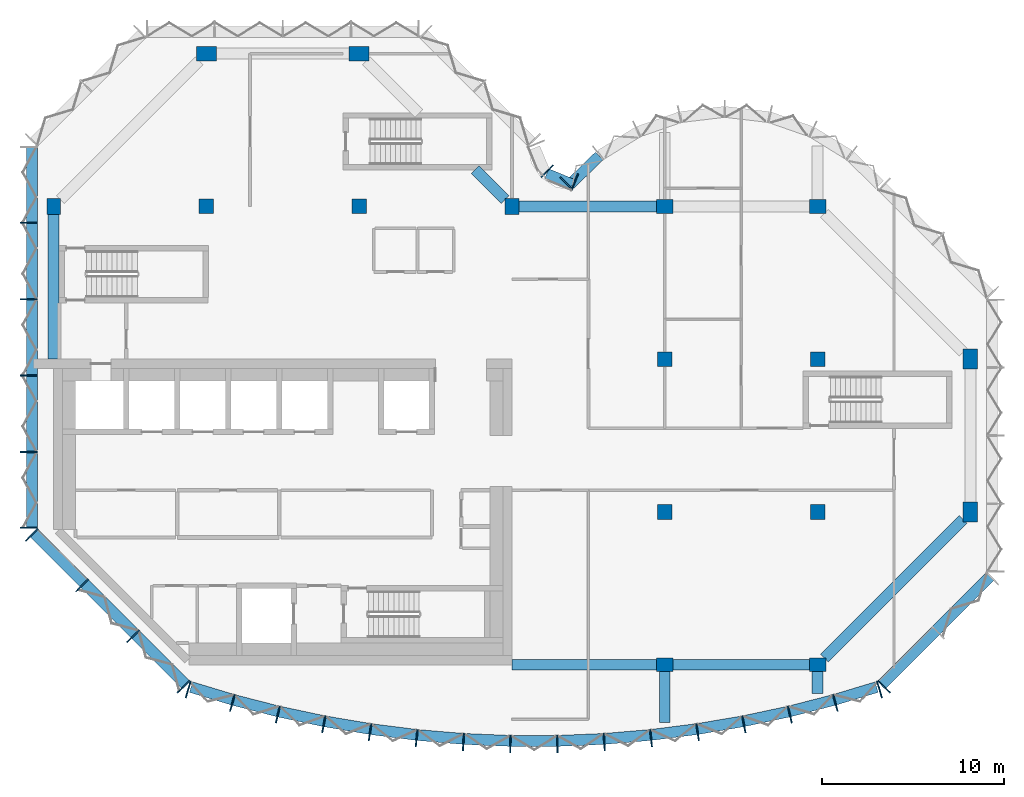
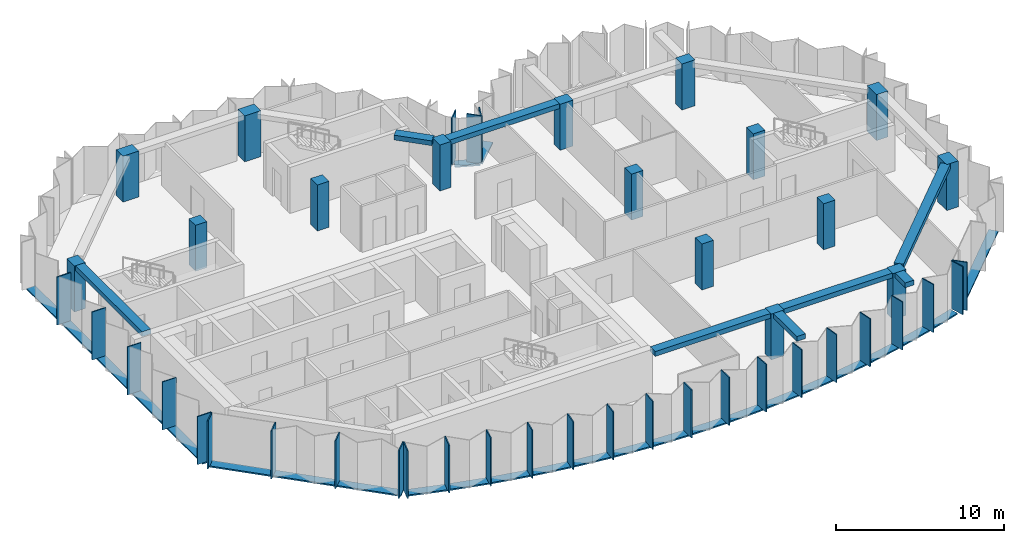
# One storey, part 1 of 9: 49 members, 16 columns, 8 beams, 6 elements without a shape of their own.
"""IFC4 building model written with IfcOpenShell, lengths in metres."""

import ifcopenshell
import ifcopenshell.guid

model = None  # the IFC model being written
_history = None  # IfcOwnerHistory: only IFC2X3 demands one
_inside = {}  # id of a spatial element -> (the spatial element, [elements in it])
_under = {}  # id of a project, library or spatial element -> (it, [spatial elements below it])
_declared = {}  # id of a project -> (the project, [libraries it declares])
_typed = {}  # id of a type object -> (the type object, [elements of that type])
_made_of = {}  # id of a material, layer set ... -> (it, [elements and type objects made of it])


def new_model(schema):
    """Start an empty IFC model of exactly this schema.

    Asked for "IFC4X3", IfcOpenShell would pick the latest addendum, in which some entities
    have other attributes; the version numbers below select the first issue.
    IFC2X3 requires an IfcOwnerHistory on every rooted entity: one is made here for all.
    """
    global model, _history
    if schema == "IFC4X3":
        model = ifcopenshell.file(schema_version=(4, 3, 0, 0))
    else:
        model = ifcopenshell.file(schema=schema)
    _inside.clear()
    _under.clear()
    _declared.clear()
    _typed.clear()
    _made_of.clear()
    _history = None
    if model.schema == "IFC2X3":
        org = make("IfcOrganization", Name="unknown")
        user = make(
            "IfcPersonAndOrganization",
            ThePerson=make("IfcPerson", FamilyName="unknown"),
            TheOrganization=org,
        )
        app = make(
            "IfcApplication",
            ApplicationDeveloper=org,
            Version="unknown",
            ApplicationFullName="unknown",
            ApplicationIdentifier="unknown",
        )
        _history = make(
            "IfcOwnerHistory",
            OwningUser=user,
            OwningApplication=app,
            ChangeAction="ADDED",
            CreationDate=0,
        )
    return model


def make(cls, **values):
    """One entity of the class cls with the attributes given. An attribute that is None is left unset."""
    return model.create_entity(
        cls, **{name: value for name, value in values.items() if value is not None}
    )


def rooted(cls, **values):
    """An entity with a GlobalId (a new one), such as an element, a storey or a relation."""
    return make(cls, GlobalId=ifcopenshell.guid.new(), OwnerHistory=_history, **values)


def si_unit(unit_type, name, prefix=None):
    """IfcSIUnit, for example si_unit("LENGTHUNIT", "METRE", prefix="MILLI")."""
    return make("IfcSIUnit", UnitType=unit_type, Prefix=prefix, Name=name)


def assignment(units):
    """IfcUnitAssignment: the units of a project."""
    return None if units is None else make("IfcUnitAssignment", Units=units)


def point(xyz):
    """IfcCartesianPoint."""
    return None if xyz is None else make("IfcCartesianPoint", Coordinates=xyz)


def direction(xyz):
    """IfcDirection."""
    return None if xyz is None else make("IfcDirection", DirectionRatios=xyz)


def frame(location, z_axis=None, x_axis=None):
    """IfcAxis2Placement3D, a coordinate frame: its origin and axes. An axis left out is left unset."""
    return make(
        "IfcAxis2Placement3D",
        Location=point(location),
        Axis=direction(z_axis),
        RefDirection=direction(x_axis),
    )


def frame_2d(location, x_axis=None):
    """IfcAxis2Placement2D, a coordinate frame in the plane: its origin and x axis."""
    return make(
        "IfcAxis2Placement2D", Location=point(location), RefDirection=direction(x_axis)
    )


def origin():
    """The frame at (0, 0, 0) with its axes left unset."""
    return frame((0.0, 0.0, 0.0))


def origin_2d():
    """The frame at (0, 0) in the plane with its x axis left unset."""
    return frame_2d((0.0, 0.0))


def place(relative_to, where):
    """IfcLocalPlacement: puts the frame where relative to a parent placement (None: the world)."""
    return make(
        "IfcLocalPlacement", PlacementRelTo=relative_to, RelativePlacement=where
    )


def context(
    kind, dimensions, precision=None, world=None, true_north=None, identifier=None
):
    """IfcGeometricRepresentationContext, for example the 3D "Model" context."""
    return make(
        "IfcGeometricRepresentationContext",
        ContextIdentifier=identifier,
        ContextType=kind,
        CoordinateSpaceDimension=dimensions,
        Precision=precision,
        WorldCoordinateSystem=world,
        TrueNorth=true_north,
    )


def subcontext(parent, identifier, kind, view, scale=None):
    """IfcGeometricRepresentationSubContext, for example "Body" below "Model"."""
    return make(
        "IfcGeometricRepresentationSubContext",
        ContextIdentifier=identifier,
        ContextType=kind,
        ParentContext=parent,
        TargetScale=scale,
        TargetView=view,
    )


def project(units=None, contexts=None):
    """IfcProject with its units and contexts."""
    return rooted(
        "IfcProject",
        Name="project",
        RepresentationContexts=contexts,
        UnitsInContext=assignment(units),
    )


def spatial(cls, under=None, at=None, **own):
    """A site, building, storey or space (cls), placed at a placement, below another one or the project."""
    s = rooted(cls, ObjectPlacement=at, **own)
    if under is not None:
        _under.setdefault(under.id(), (under, []))[1].append(s)
    return s


def profile(cls, at=None, kind="AREA", **sizes):
    """A parametric profile (cls). Its sizes go by their IFC names, for example OverallWidth=200.0."""
    return make(cls, ProfileType=kind, Position=at, **sizes)


def rectangle(**sizes):
    """IfcRectangleProfileDef."""
    return profile("IfcRectangleProfileDef", **sizes)


def extrude(swept, where, along, depth):
    """IfcExtrudedAreaSolid: the profile swept, set in the frame where, extruded along a direction by depth."""
    return make(
        "IfcExtrudedAreaSolid",
        SweptArea=swept,
        Position=where,
        ExtrudedDirection=direction(along),
        Depth=depth,
    )


def shape(context_of_items, identifier, shape_type, items):
    """IfcShapeRepresentation: the items that make up one representation, for example the "Body"."""
    return make(
        "IfcShapeRepresentation",
        ContextOfItems=context_of_items,
        RepresentationIdentifier=identifier,
        RepresentationType=shape_type,
        Items=items,
    )


def material(Name=None, Category=None):
    """IfcMaterial."""
    return make("IfcMaterial", Name=Name, Category=Category)


def material_profile(
    of_material, cross_section, Name=None, Category=None, Priority=None
):
    """IfcMaterialProfile: a cross section and its material."""
    return make(
        "IfcMaterialProfile",
        Name=Name,
        Material=of_material,
        Profile=cross_section,
        Priority=Priority,
        Category=Category,
    )


def profile_set(profiles, Name=None, composite=None):
    """IfcMaterialProfileSet."""
    return make(
        "IfcMaterialProfileSet",
        Name=Name,
        MaterialProfiles=profiles,
        CompositeProfile=composite,
    )


def made_of(thing, what):
    """Note that an element or type object is made of a material, layer set ...; save() writes the relation."""
    if what is not None:
        _made_of.setdefault(what.id(), (what, []))[1].append(thing)
    return thing


def type_object(cls, material=None, **own):
    """A type object (cls), such as IfcWallType, which elements share."""
    return made_of(rooted(cls, **own), material)


def element(
    cls,
    number,
    at=None,
    inside=None,
    cuts=None,
    type_object=None,
    material=None,
    context=None,
    identifier="Body",
    shape_type=None,
    held_by="IfcProductDefinitionShape",
    body=None,
    shapes=None,
    **own,
):
    """One element of the class cls, such as IfcWall. Its Tag is "e" and its number.

    at: its placement. inside: the storey or other place that contains it. cuts: it is an
    opening in that element (IfcRelVoidsElement). A single representation is given by context,
    identifier, shape_type and body (its items); several are given by shapes. held_by: the class
    of the entity that holds the representations. save() writes the other relations.
    """
    e = rooted(cls, Tag="e%d" % number, ObjectPlacement=at, **own)
    if body is not None:
        shapes = [shape(context, identifier, shape_type, body)]
    if shapes is not None:
        e.Representation = make(held_by, Representations=shapes)
    if inside is not None:
        _inside.setdefault(inside.id(), (inside, []))[1].append(e)
    if cuts is not None:
        rooted(
            "IfcRelVoidsElement", RelatingBuildingElement=cuts, RelatedOpeningElement=e
        )
    if type_object is not None:
        _typed.setdefault(type_object.id(), (type_object, []))[1].append(e)
    return made_of(e, material)


def aggregate(whole, parts):
    """IfcRelAggregates: a whole, such as a stair, and the parts it consists of."""
    return rooted("IfcRelAggregates", RelatingObject=whole, RelatedObjects=parts)


def save(model, path):
    """Write the relations noted so far, then the file.

    IfcRelAggregates (storeys below a building ...), IfcRelContainedInSpatialStructure (elements
    in a storey), IfcRelDefinesByType, IfcRelAssociatesMaterial and IfcRelDeclares: one each for
    every whole, place, type object, material and project.
    """
    for whole, parts in _under.values():
        aggregate(whole, parts)
    for where, things in _inside.values():
        rooted(
            "IfcRelContainedInSpatialStructure",
            RelatedElements=things,
            RelatingStructure=where,
        )
    for kind, things in _typed.values():
        rooted("IfcRelDefinesByType", RelatedObjects=things, RelatingType=kind)
    for what, things in _made_of.values():
        rooted("IfcRelAssociatesMaterial", RelatedObjects=things, RelatingMaterial=what)
    for by, libraries in _declared.values():
        rooted("IfcRelDeclares", RelatingContext=by, RelatedDefinitions=libraries)
    model.write(path)


model = new_model("IFC4")

# Units and contexts
model_context = context("Model", 3, precision=1e-05, world=origin(), true_north=direction((0.0, 1.0)))
body_context = subcontext(model_context, "Body", "Model", "MODEL_VIEW")
ifc_project = project(units=[si_unit("LENGTHUNIT", "METRE"), si_unit("AREAUNIT", "SQUARE_METRE"), si_unit("VOLUMEUNIT", "CUBIC_METRE"), si_unit("PLANEANGLEUNIT", "RADIAN"), si_unit("MASSUNIT", "GRAM", prefix="KILO")], contexts=[model_context])

# Site, building, storey
site_placement = place(None, origin())
site = spatial("IfcSite", under=ifc_project, at=site_placement, CompositionType="ELEMENT")
building_placement = place(site_placement, origin())
building = spatial("IfcBuilding", under=site, at=building_placement, Name="Brevane Broadcast Tower", CompositionType="ELEMENT")
storey_placement = place(building_placement, frame((0.0, 0.0, 240.89990234375)))
storey = spatial("IfcBuildingStorey", under=building, at=storey_placement, Name="L61", CompositionType="ELEMENT", Elevation=240.89990234375)

# Columns
ifc_material_1 = material(Name="Concrete C50/60", Category="concrete")
ifc_material_profile_1 = material_profile(ifc_material_1, rectangle(XDim=0.75, YDim=0.89990234375, at=origin_2d()), Name="RC 750x900")
ifc_profile_set_1 = profile_set([ifc_material_profile_1], Name="Concrete C50/60")
column_type_1 = type_object("IfcColumnType", Name="RC COLUMN EDGE 750x900 C50/60", PredefinedType="COLUMN", material=ifc_profile_set_1)
for number, where, z_axis, x_axis, name in (
    (1, (0.0, 25.199951171875, 0.0), (0.0, 0.0, 1.0), (1.0, 0.0, 0.0), "CE14 1/D"),
    (2, (25.199951171875, 25.199951171875, 0.0), (0.0, 0.0, 1.0), (1.0, 0.0, 0.0), "CE14 4/D"),
    (3, (33.60009765625, 0.0, 0.0), (0.0, 0.0, 1.0), (0.0, 1.0, 0.0), "CE14 5/A"),
    (4, (33.60009765625, 25.199951171875, 0.0), (0.0, 0.0, 1.0), (0.0, 1.0, 0.0), "CE14 5/D"),
    (5, (42.0, 0.0, 0.0), (0.0, 0.0, 1.0), (0.0, 1.0, 0.0), "CE14 6/A"),
    (6, (42.0, 25.199951171875, 0.0), (0.0, 0.0, 1.0), (0.0, 1.0, 0.0), "CE14 6/D"),
):
    element("IfcColumn", number, at=place(storey_placement, frame(where, z_axis=z_axis, x_axis=x_axis)), inside=storey, type_object=column_type_1, Name=name, PredefinedType="COLUMN", context=body_context, shape_type="SweptSolid", body=[
        extrude(rectangle(XDim=0.75, YDim=0.89990234375, at=origin_2d()), origin(), (0.0, 0.0, 1.0), 3.35009765625),
    ])
ifc_material_profile_2 = material_profile(ifc_material_1, rectangle(XDim=0.800048828125, YDim=0.800048828125, at=origin_2d()), Name="RC 800x800")
ifc_profile_set_2 = profile_set([ifc_material_profile_2], Name="Concrete C50/60")
column_type_2 = type_object("IfcColumnType", Name="RC COLUMN INTERIOR 800x800 C50/60", PredefinedType="COLUMN", material=ifc_profile_set_2)
for number, where, z_axis, x_axis, name in (
    (7, (8.39990234375, 25.199951171875, 0.0), (0.0, 0.0, 1.0), (1.0, 0.0, 0.0), "CI15 2/D"),
    (8, (16.800048828125, 25.199951171875, 0.0), (0.0, 0.0, 1.0), (1.0, 0.0, 0.0), "CI15 3/D"),
    (9, (33.60009765625, 8.39990234375, 0.0), (0.0, 0.0, 1.0), (1.0, 0.0, 0.0), "CI15 5/B"),
    (10, (33.60009765625, 16.800048828125, 0.0), (0.0, 0.0, 1.0), (1.0, 0.0, 0.0), "CI15 5/C"),
    (11, (42.0, 8.39990234375, 0.0), (0.0, 0.0, 1.0), (1.0, 0.0, 0.0), "CI15 6/B"),
    (12, (42.0, 16.800048828125, 0.0), (0.0, 0.0, 1.0), (1.0, 0.0, 0.0), "CI15 6/C"),
):
    element("IfcColumn", number, at=place(storey_placement, frame(where, z_axis=z_axis, x_axis=x_axis)), inside=storey, type_object=column_type_2, Name=name, PredefinedType="COLUMN", context=body_context, shape_type="SweptSolid", body=[
        extrude(rectangle(XDim=0.800048828125, YDim=0.800048828125, at=origin_2d()), origin(), (0.0, 0.0, 1.0), 3.35009765625),
    ])
ifc_material_profile_3 = material_profile(ifc_material_1, rectangle(XDim=0.800048828125, YDim=1.10009765625, at=origin_2d()), Name="RC 800x1100")
ifc_profile_set_3 = profile_set([ifc_material_profile_3], Name="Concrete C50/60")
column_type_3 = type_object("IfcColumnType", Name="RC COLUMN WING-END 800x1100 C50/60", PredefinedType="COLUMN", material=ifc_profile_set_3)
for number, where, z_axis, x_axis, name in (
    (13, (8.39990234375, 33.60009765625, 0.0), (0.0, 0.0, 1.0), (0.0, 1.0, 0.0), "CW16 2/E"),
    (14, (16.800048828125, 33.60009765625, 0.0), (0.0, 0.0, 1.0), (0.0, 1.0, 0.0), "CW16 3/E"),
    (15, (50.39990234375, 8.39990234375, 0.0), (0.0, 0.0, 1.0), (1.0, 0.0, 0.0), "CW16 7/B"),
    (16, (50.39990234375, 16.800048828125, 0.0), (0.0, 0.0, 1.0), (1.0, 0.0, 0.0), "CW16 7/C"),
):
    element("IfcColumn", number, at=place(storey_placement, frame(where, z_axis=z_axis, x_axis=x_axis)), inside=storey, type_object=column_type_3, Name=name, PredefinedType="COLUMN", context=body_context, shape_type="SweptSolid", body=[
        extrude(rectangle(XDim=0.800048828125, YDim=1.10009765625, at=origin_2d()), origin(), (0.0, 0.0, 1.0), 3.35009765625),
    ])

# Curtain wall, members
ifc_material_2 = material(Name="Aluminium 6063-T6 bronze anodised", Category="aluminium")
curtain_wall_type = type_object("IfcCurtainWallType", Name="CW-1 curtain wall", PredefinedType="NOTDEFINED", material=ifc_material_2)
curtain_wall_1_placement = place(storey_placement, origin())
curtain_wall_1 = element("IfcCurtainWall", 17, at=curtain_wall_1_placement, inside=storey, type_object=curtain_wall_type, Name="CW-1 typical tilted unit L61 south bow", PredefinedType="NOTDEFINED")
ifc_material_profile_4 = material_profile(ifc_material_2, rectangle(XDim=0.949951171875, YDim=0.070068359375, at=origin_2d()), Name="RECT 70x950")
ifc_profile_set_4 = profile_set([ifc_material_profile_4], Name="Aluminium 6063-T6 bronze anodised")
member_type_1 = type_object("IfcMemberType", Name="CW-1 mullion 70x950", PredefinedType="MULLION", material=ifc_profile_set_4)
member_1_placement = place(storey_placement, frame((7.396240234375, -1.36474609375, -0.14990234375), z_axis=(0.0, 0.0, 1.0), x_axis=(0.288968122518, 0.957338719664, 0.0)))
member_1 = element("IfcMember", 18, at=member_1_placement, type_object=member_type_1, Name="CW-1 mullion", PredefinedType="MULLION", context=body_context, shape_type="SweptSolid", body=[
    extrude(rectangle(XDim=0.949951171875, YDim=0.070068359375, at=origin_2d()), origin(), (0.0, 0.0, 1.0), 3.5),
])
member_2_placement = place(storey_placement, frame((9.824951171875, -2.097900390625, -0.14990234375), z_axis=(0.0, 0.0, 1.0), x_axis=(0.268915519935, 0.963163767559, 0.0)))
member_2 = element("IfcMember", 19, at=member_2_placement, type_object=member_type_1, Name="CW-1 mullion", PredefinedType="MULLION", context=body_context, shape_type="SweptSolid", body=[
    extrude(rectangle(XDim=0.949951171875, YDim=0.070068359375, at=origin_2d()), origin(), (0.0, 0.0, 1.0), 3.5),
])
member_3_placement = place(storey_placement, frame((12.325439453125, -2.739990234375, -0.14990234375), z_axis=(0.0, 0.0, 1.0), x_axis=(0.228467410001, 0.97355156133, 0.0)))
member_3 = element("IfcMember", 20, at=member_3_placement, type_object=member_type_1, Name="CW-1 mullion", PredefinedType="MULLION", context=body_context, shape_type="SweptSolid", body=[
    extrude(rectangle(XDim=0.949951171875, YDim=0.070068359375, at=origin_2d()), origin(), (0.0, 0.0, 1.0), 3.5),
])
member_4_placement = place(storey_placement, frame((14.8505859375, -3.277099609375, -0.14990234375), z_axis=(0.0, 0.0, 1.0), x_axis=(0.187620976959, 0.982241502384, 0.0)))
member_4 = element("IfcMember", 21, at=member_4_placement, type_object=member_type_1, Name="CW-1 mullion", PredefinedType="MULLION", context=body_context, shape_type="SweptSolid", body=[
    extrude(rectangle(XDim=0.949951171875, YDim=0.070068359375, at=origin_2d()), origin(), (0.0, 0.0, 1.0), 3.5),
])
member_5_placement = place(storey_placement, frame((17.395751953125, -3.70849609375, -0.14990234375), z_axis=(0.0, 0.0, 1.0), x_axis=(0.146447392256, 0.989218459847, 0.0)))
member_5 = element("IfcMember", 22, at=member_5_placement, type_object=member_type_1, Name="CW-1 mullion", PredefinedType="MULLION", context=body_context, shape_type="SweptSolid", body=[
    extrude(rectangle(XDim=0.949951171875, YDim=0.070068359375, at=origin_2d()), origin(), (0.0, 0.0, 1.0), 3.5),
])
member_6_placement = place(storey_placement, frame((19.95703125, -4.033203125, -0.14990234375), z_axis=(0.0, 0.0, 1.0), x_axis=(0.105018395305, 0.994470279419, 0.0)))
member_6 = element("IfcMember", 23, at=member_6_placement, type_object=member_type_1, Name="CW-1 mullion", PredefinedType="MULLION", context=body_context, shape_type="SweptSolid", body=[
    extrude(rectangle(XDim=0.949951171875, YDim=0.070068359375, at=origin_2d()), origin(), (0.0, 0.0, 1.0), 3.5),
])
member_7_placement = place(storey_placement, frame((22.529296875, -4.250732421875, -0.14990234375), z_axis=(0.0, 0.0, 1.0), x_axis=(0.063406169479, 0.99798780437, 0.0)))
member_7 = element("IfcMember", 24, at=member_7_placement, type_object=member_type_1, Name="CW-1 mullion", PredefinedType="MULLION", context=body_context, shape_type="SweptSolid", body=[
    extrude(rectangle(XDim=0.949951171875, YDim=0.070068359375, at=origin_2d()), origin(), (0.0, 0.0, 1.0), 3.5),
])
member_8_placement = place(storey_placement, frame((25.10888671875, -4.360595703125, -0.14990234375), z_axis=(0.0, 0.0, 1.0), x_axis=(0.021281828243, 0.999773516246, 0.0)))
member_8 = element("IfcMember", 25, at=member_8_placement, type_object=member_type_1, Name="CW-1 mullion", PredefinedType="MULLION", context=body_context, shape_type="SweptSolid", body=[
    extrude(rectangle(XDim=0.949951171875, YDim=0.070068359375, at=origin_2d()), origin(), (0.0, 0.0, 1.0), 3.5),
])
member_9_placement = place(storey_placement, frame((27.691162109375, -4.360595703125, -0.14990234375), z_axis=(0.0, 0.0, 1.0), x_axis=(-0.021281828243, 0.999773516246, 0.0)))
member_9 = element("IfcMember", 26, at=member_9_placement, type_object=member_type_1, Name="CW-1 mullion", PredefinedType="MULLION", context=body_context, shape_type="SweptSolid", body=[
    extrude(rectangle(XDim=0.949951171875, YDim=0.070068359375, at=origin_2d()), origin(), (0.0, 0.0, 1.0), 3.5),
])
member_10_placement = place(storey_placement, frame((30.2705078125, -4.250732421875, -0.14990234375), z_axis=(0.0, 0.0, 1.0), x_axis=(-0.063406169479, 0.99798780437, 0.0)))
member_10 = element("IfcMember", 27, at=member_10_placement, type_object=member_type_1, Name="CW-1 mullion", PredefinedType="MULLION", context=body_context, shape_type="SweptSolid", body=[
    extrude(rectangle(XDim=0.949951171875, YDim=0.070068359375, at=origin_2d()), origin(), (0.0, 0.0, 1.0), 3.5),
])
member_11_placement = place(storey_placement, frame((32.843017578125, -4.033203125, -0.14990234375), z_axis=(0.0, 0.0, 1.0), x_axis=(-0.105018395305, 0.994470279419, 0.0)))
member_11 = element("IfcMember", 28, at=member_11_placement, type_object=member_type_1, Name="CW-1 mullion", PredefinedType="MULLION", context=body_context, shape_type="SweptSolid", body=[
    extrude(rectangle(XDim=0.949951171875, YDim=0.070068359375, at=origin_2d()), origin(), (0.0, 0.0, 1.0), 3.5),
])
member_12_placement = place(storey_placement, frame((35.404296875, -3.70849609375, -0.14990234375), z_axis=(0.0, 0.0, 1.0), x_axis=(-0.146447392256, 0.989218459847, 0.0)))
member_12 = element("IfcMember", 29, at=member_12_placement, type_object=member_type_1, Name="CW-1 mullion", PredefinedType="MULLION", context=body_context, shape_type="SweptSolid", body=[
    extrude(rectangle(XDim=0.949951171875, YDim=0.070068359375, at=origin_2d()), origin(), (0.0, 0.0, 1.0), 3.5),
])
member_13_placement = place(storey_placement, frame((37.949462890625, -3.277099609375, -0.14990234375), z_axis=(0.0, 0.0, 1.0), x_axis=(-0.187620976959, 0.982241502384, 0.0)))
member_13 = element("IfcMember", 30, at=member_13_placement, type_object=member_type_1, Name="CW-1 mullion", PredefinedType="MULLION", context=body_context, shape_type="SweptSolid", body=[
    extrude(rectangle(XDim=0.949951171875, YDim=0.070068359375, at=origin_2d()), origin(), (0.0, 0.0, 1.0), 3.5),
])
member_14_placement = place(storey_placement, frame((40.474609375, -2.739990234375, -0.14990234375), z_axis=(0.0, 0.0, 1.0), x_axis=(-0.228467410001, 0.97355156133, 0.0)))
member_14 = element("IfcMember", 31, at=member_14_placement, type_object=member_type_1, Name="CW-1 mullion", PredefinedType="MULLION", context=body_context, shape_type="SweptSolid", body=[
    extrude(rectangle(XDim=0.949951171875, YDim=0.070068359375, at=origin_2d()), origin(), (0.0, 0.0, 1.0), 3.5),
])
member_15_placement = place(storey_placement, frame((42.97509765625, -2.097900390625, -0.14990234375), z_axis=(0.0, 0.0, 1.0), x_axis=(-0.268915519935, 0.963163767559, 0.0)))
member_15 = element("IfcMember", 32, at=member_15_placement, type_object=member_type_1, Name="CW-1 mullion", PredefinedType="MULLION", context=body_context, shape_type="SweptSolid", body=[
    extrude(rectangle(XDim=0.949951171875, YDim=0.070068359375, at=origin_2d()), origin(), (0.0, 0.0, 1.0), 3.5),
])
member_16_placement = place(storey_placement, frame((45.40380859375, -1.36474609375, -0.14990234375), z_axis=(0.0, 0.0, 1.0), x_axis=(-0.288968122518, 0.957338719664, 0.0)))
member_16 = element("IfcMember", 33, at=member_16_placement, type_object=member_type_1, Name="CW-1 mullion", PredefinedType="MULLION", context=body_context, shape_type="SweptSolid", body=[
    extrude(rectangle(XDim=0.949951171875, YDim=0.070068359375, at=origin_2d()), origin(), (0.0, 0.0, 1.0), 3.5),
])

# Curtain wall, member
curtain_wall_2_placement = place(storey_placement, origin())
curtain_wall_2 = element("IfcCurtainWall", 34, at=curtain_wall_2_placement, inside=storey, type_object=curtain_wall_type, Name="CW-1 typical tilted unit L61 south-east chamfer", PredefinedType="NOTDEFINED")
member_17_placement = place(storey_placement, frame((45.66064453125, -1.211181640625, -0.14990234375), z_axis=(0.0, 0.0, 1.0), x_axis=(-0.707106781187, 0.707106781187, 0.0)))
member_17 = element("IfcMember", 35, at=member_17_placement, type_object=member_type_1, Name="CW-1 mullion", PredefinedType="MULLION", context=body_context, shape_type="SweptSolid", body=[
    extrude(rectangle(XDim=0.949951171875, YDim=0.070068359375, at=origin_2d()), origin(), (0.0, 0.0, 1.0), 3.5),
])

curtain_wall_3_placement = place(storey_placement, origin())
curtain_wall_3 = element("IfcCurtainWall", 36, at=curtain_wall_3_placement, inside=storey, type_object=curtain_wall_type, Name="CW-1 typical tilted unit L61 east bow", PredefinedType="NOTDEFINED")
member_18_placement = place(storey_placement, frame((28.194091796875, 26.465087890625, -0.14990234375), z_axis=(0.0, 0.0, 1.0), x_axis=(0.696812089895, -0.717253728729, 0.0)))
member_18 = element("IfcMember", 37, at=member_18_placement, type_object=member_type_1, Name="CW-1 mullion", PredefinedType="MULLION", context=body_context, shape_type="SweptSolid", body=[
    extrude(rectangle(XDim=0.949951171875, YDim=0.070068359375, at=origin_2d()), origin(), (0.0, 0.0, 1.0), 3.5),
])

# Curtain wall, members
curtain_wall_4_placement = place(storey_placement, origin())
curtain_wall_4 = element("IfcCurtainWall", 38, at=curtain_wall_4_placement, inside=storey, type_object=curtain_wall_type, Name="CW-1 typical tilted unit L61 inner corner", PredefinedType="NOTDEFINED")
member_19_placement = place(storey_placement, frame((28.6494140625, 26.55224609375, -0.14990234375), z_axis=(0.0, 0.0, 1.0), x_axis=(-0.382683432365, -0.923879532511, 0.0)))
member_19 = element("IfcMember", 39, at=member_19_placement, type_object=member_type_1, Name="CW-1 mullion", PredefinedType="MULLION", context=body_context, shape_type="SweptSolid", body=[
    extrude(rectangle(XDim=0.949951171875, YDim=0.070068359375, at=origin_2d()), origin(), (0.0, 0.0, 1.0), 3.5),
])
member_20_placement = place(storey_placement, frame((27.138916015625, 27.138916015625, -0.14990234375), z_axis=(0.0, 0.0, 1.0), x_axis=(-0.707106781187, -0.707106781187, 0.0)))
member_20 = element("IfcMember", 40, at=member_20_placement, type_object=member_type_1, Name="CW-1 mullion", PredefinedType="MULLION", context=body_context, shape_type="SweptSolid", body=[
    extrude(rectangle(XDim=0.949951171875, YDim=0.070068359375, at=origin_2d()), origin(), (0.0, 0.0, 1.0), 3.5),
])

curtain_wall_5_placement = place(storey_placement, origin())
curtain_wall_5 = element("IfcCurtainWall", 41, at=curtain_wall_5_placement, inside=storey, type_object=curtain_wall_type, Name="CW-1 typical tilted unit L61 west face", PredefinedType="NOTDEFINED")
member_21_placement = place(storey_placement, frame((-1.375, 24.300048828125, -0.14990234375), z_axis=(0.0, 0.0, 1.0), x_axis=(1.0, 0.0, 0.0)))
member_21 = element("IfcMember", 42, at=member_21_placement, type_object=member_type_1, Name="CW-1 mullion", PredefinedType="MULLION", context=body_context, shape_type="SweptSolid", body=[
    extrude(rectangle(XDim=0.949951171875, YDim=0.070068359375, at=origin_2d()), origin(), (0.0, 0.0, 1.0), 3.5),
])
member_22_placement = place(storey_placement, frame((-1.375, 20.10009765625, -0.14990234375), z_axis=(0.0, 0.0, 1.0), x_axis=(1.0, 0.0, 0.0)))
member_22 = element("IfcMember", 43, at=member_22_placement, type_object=member_type_1, Name="CW-1 mullion", PredefinedType="MULLION", context=body_context, shape_type="SweptSolid", body=[
    extrude(rectangle(XDim=0.949951171875, YDim=0.070068359375, at=origin_2d()), origin(), (0.0, 0.0, 1.0), 3.5),
])
member_23_placement = place(storey_placement, frame((-1.375, 15.89990234375, -0.14990234375), z_axis=(0.0, 0.0, 1.0), x_axis=(1.0, 0.0, 0.0)))
member_23 = element("IfcMember", 44, at=member_23_placement, type_object=member_type_1, Name="CW-1 mullion", PredefinedType="MULLION", context=body_context, shape_type="SweptSolid", body=[
    extrude(rectangle(XDim=0.949951171875, YDim=0.070068359375, at=origin_2d()), origin(), (0.0, 0.0, 1.0), 3.5),
])
member_24_placement = place(storey_placement, frame((-1.375, 11.699951171875, -0.14990234375), z_axis=(0.0, 0.0, 1.0), x_axis=(1.0, 0.0, 0.0)))
member_24 = element("IfcMember", 45, at=member_24_placement, type_object=member_type_1, Name="CW-1 mullion", PredefinedType="MULLION", context=body_context, shape_type="SweptSolid", body=[
    extrude(rectangle(XDim=0.949951171875, YDim=0.070068359375, at=origin_2d()), origin(), (0.0, 0.0, 1.0), 3.5),
])
member_25_placement = place(storey_placement, frame((-1.375, 7.534912109375, -0.14990234375), z_axis=(0.0, 0.0, 1.0), x_axis=(1.0, 0.0, 0.0)))
member_25 = element("IfcMember", 46, at=member_25_placement, type_object=member_type_1, Name="CW-1 mullion", PredefinedType="MULLION", context=body_context, shape_type="SweptSolid", body=[
    extrude(rectangle(XDim=0.949951171875, YDim=0.070068359375, at=origin_2d()), origin(), (0.0, 0.0, 1.0), 3.5),
])

curtain_wall_6_placement = place(storey_placement, origin())
curtain_wall_6 = element("IfcCurtainWall", 47, at=curtain_wall_6_placement, inside=storey, type_object=curtain_wall_type, Name="CW-1 typical tilted unit L61 south-west chamfer", PredefinedType="NOTDEFINED")
member_26_placement = place(storey_placement, frame((-1.211181640625, 7.139404296875, -0.14990234375), z_axis=(0.0, 0.0, 1.0), x_axis=(0.707106781187, 0.707106781187, 0.0)))
member_26 = element("IfcMember", 48, at=member_26_placement, type_object=member_type_1, Name="CW-1 mullion", PredefinedType="MULLION", context=body_context, shape_type="SweptSolid", body=[
    extrude(rectangle(XDim=0.949951171875, YDim=0.070068359375, at=origin_2d()), origin(), (0.0, 0.0, 1.0), 3.5),
])
member_27_placement = place(storey_placement, frame((1.564208984375, 4.364013671875, -0.14990234375), z_axis=(0.0, 0.0, 1.0), x_axis=(0.707106781187, 0.707106781187, 0.0)))
member_27 = element("IfcMember", 49, at=member_27_placement, type_object=member_type_1, Name="CW-1 mullion", PredefinedType="MULLION", context=body_context, shape_type="SweptSolid", body=[
    extrude(rectangle(XDim=0.949951171875, YDim=0.070068359375, at=origin_2d()), origin(), (0.0, 0.0, 1.0), 3.5),
])
member_28_placement = place(storey_placement, frame((4.364013671875, 1.564208984375, -0.14990234375), z_axis=(0.0, 0.0, 1.0), x_axis=(0.707106781187, 0.707106781187, 0.0)))
member_28 = element("IfcMember", 50, at=member_28_placement, type_object=member_type_1, Name="CW-1 mullion", PredefinedType="MULLION", context=body_context, shape_type="SweptSolid", body=[
    extrude(rectangle(XDim=0.949951171875, YDim=0.070068359375, at=origin_2d()), origin(), (0.0, 0.0, 1.0), 3.5),
])
member_29_placement = place(storey_placement, frame((7.139404296875, -1.211181640625, -0.14990234375), z_axis=(0.0, 0.0, 1.0), x_axis=(0.707106781187, 0.707106781187, 0.0)))
member_29 = element("IfcMember", 51, at=member_29_placement, type_object=member_type_1, Name="CW-1 mullion", PredefinedType="MULLION", context=body_context, shape_type="SweptSolid", body=[
    extrude(rectangle(XDim=0.949951171875, YDim=0.070068359375, at=origin_2d()), origin(), (0.0, 0.0, 1.0), 3.5),
])

# Member
ifc_material_profile_5 = material_profile(ifc_material_2, rectangle(XDim=0.60009765625, YDim=0.10009765625, at=origin_2d()), Name="RECT 100x600")
ifc_profile_set_5 = profile_set([ifc_material_profile_5], Name="Aluminium 6063-T6 bronze anodised")
member_type_2 = type_object("IfcMemberType", Name="CW-1 transom 100x600", PredefinedType="USERDEFINED", material=ifc_profile_set_5)
member_30_placement = place(storey_placement, frame((7.553955078125, -1.229736328125, -0.199951171875), z_axis=(0.957362578524, -0.288889067362, 0.0), x_axis=(0.288889067362, 0.957362578524, 0.0)))
member_30 = element("IfcMember", 52, at=member_30_placement, type_object=member_type_2, Name="CW-1 transom", ObjectType="TRANSOM", PredefinedType="USERDEFINED", context=body_context, shape_type="SweptSolid", body=[
    extrude(rectangle(XDim=0.60009765625, YDim=0.10009765625, at=origin_2d()), origin(), (0.0, 0.0, 1.0), 2.411865234375),
])

member_31_placement = place(storey_placement, frame((9.8759765625, -1.930419921875, -0.199951171875), z_axis=(0.968569727699, -0.248742201052, 0.0), x_axis=(0.248742201052, 0.968569727699, 0.0)))
member_31 = element("IfcMember", 53, at=member_31_placement, type_object=member_type_2, Name="CW-1 transom", ObjectType="TRANSOM", PredefinedType="USERDEFINED", context=body_context, shape_type="SweptSolid", body=[
    extrude(rectangle(XDim=0.60009765625, YDim=0.10009765625, at=origin_2d()), origin(), (0.0, 0.0, 1.0), 2.561767578125),
])

member_32_placement = place(storey_placement, frame((12.370361328125, -2.57080078125, -0.199951171875), z_axis=(0.978117897278, -0.208051385536, 0.0), x_axis=(0.208051385536, 0.978117897278, 0.0)))
member_32 = element("IfcMember", 54, at=member_32_placement, type_object=member_type_2, Name="CW-1 transom", ObjectType="TRANSOM", PredefinedType="USERDEFINED", context=body_context, shape_type="SweptSolid", body=[
    extrude(rectangle(XDim=0.60009765625, YDim=0.10009765625, at=origin_2d()), origin(), (0.0, 0.0, 1.0), 2.561767578125),
])

member_33_placement = place(storey_placement, frame((14.88916015625, -3.1064453125, -0.199951171875), z_axis=(0.985947338221, -0.167056416383, 0.0), x_axis=(0.167056416383, 0.985947338221, 0.0)))
member_33 = element("IfcMember", 55, at=member_33_placement, type_object=member_type_2, Name="CW-1 transom", ObjectType="TRANSOM", PredefinedType="USERDEFINED", context=body_context, shape_type="SweptSolid", body=[
    extrude(rectangle(XDim=0.60009765625, YDim=0.10009765625, at=origin_2d()), origin(), (0.0, 0.0, 1.0), 2.561767578125),
])

member_34_placement = place(storey_placement, frame((17.428466796875, -3.536376953125, -0.199951171875), z_axis=(0.99206678005, -0.12571198798, 0.0), x_axis=(0.12571198798, 0.99206678005, 0.0)))
member_34 = element("IfcMember", 56, at=member_34_placement, type_object=member_type_2, Name="CW-1 transom", ObjectType="TRANSOM", PredefinedType="USERDEFINED", context=body_context, shape_type="SweptSolid", body=[
    extrude(rectangle(XDim=0.60009765625, YDim=0.10009765625, at=origin_2d()), origin(), (0.0, 0.0, 1.0), 2.5615234375),
])

member_35_placement = place(storey_placement, frame((19.983154296875, -3.85986328125, -0.199951171875), z_axis=(0.99644513768, -0.084244214012, 0.0), x_axis=(0.084244214012, 0.99644513768, 0.0)))
member_35 = element("IfcMember", 57, at=member_35_placement, type_object=member_type_2, Name="CW-1 transom", ObjectType="TRANSOM", PredefinedType="USERDEFINED", context=body_context, shape_type="SweptSolid", body=[
    extrude(rectangle(XDim=0.60009765625, YDim=0.10009765625, at=origin_2d()), origin(), (0.0, 0.0, 1.0), 2.561767578125),
])

member_36_placement = place(storey_placement, frame((22.54931640625, -4.076416015625, -0.199951171875), z_axis=(0.999092306129, -0.042597697524, 0.0), x_axis=(0.042597697524, 0.999092306129, 0.0)))
member_36 = element("IfcMember", 58, at=member_36_placement, type_object=member_type_2, Name="CW-1 transom", ObjectType="TRANSOM", PredefinedType="USERDEFINED", context=body_context, shape_type="SweptSolid", body=[
    extrude(rectangle(XDim=0.60009765625, YDim=0.10009765625, at=origin_2d()), origin(), (0.0, 0.0, 1.0), 2.56201171875),
])

member_37_placement = place(storey_placement, frame((25.122314453125, -4.185546875, -0.199951171875), z_axis=(1.0, 0.0, 0.0), x_axis=(0.0, 1.0, 0.0)))
member_37 = element("IfcMember", 59, at=member_37_placement, type_object=member_type_2, Name="CW-1 transom", ObjectType="TRANSOM", PredefinedType="USERDEFINED", context=body_context, shape_type="SweptSolid", body=[
    extrude(rectangle(XDim=0.60009765625, YDim=0.10009765625, at=origin_2d()), origin(), (0.0, 0.0, 1.0), 2.56201171875),
])

member_38_placement = place(storey_placement, frame((27.691162109375, -4.185546875, -0.199951171875), z_axis=(0.999092133182, 0.042601753652, 0.0), x_axis=(-0.042601753652, 0.999092133182, 0.0)))
member_38 = element("IfcMember", 60, at=member_38_placement, type_object=member_type_2, Name="CW-1 transom", ObjectType="TRANSOM", PredefinedType="USERDEFINED", context=body_context, shape_type="SweptSolid", body=[
    extrude(rectangle(XDim=0.60009765625, YDim=0.10009765625, at=origin_2d()), origin(), (0.0, 0.0, 1.0), 2.561767578125),
])

member_39_placement = place(storey_placement, frame((30.26416015625, -4.07568359375, -0.199951171875), z_axis=(0.99644513768, 0.084244214012, 0.0), x_axis=(-0.084244214012, 0.99644513768, 0.0)))
member_39 = element("IfcMember", 61, at=member_39_placement, type_object=member_type_2, Name="CW-1 transom", ObjectType="TRANSOM", PredefinedType="USERDEFINED", context=body_context, shape_type="SweptSolid", body=[
    extrude(rectangle(XDim=0.60009765625, YDim=0.10009765625, at=origin_2d()), origin(), (0.0, 0.0, 1.0), 2.561767578125),
])

member_40_placement = place(storey_placement, frame((32.830322265625, -3.8583984375, -0.199951171875), z_axis=(0.99206678005, 0.12571198798, 0.0), x_axis=(-0.12571198798, 0.99206678005, 0.0)))
member_40 = element("IfcMember", 62, at=member_40_placement, type_object=member_type_2, Name="CW-1 transom", ObjectType="TRANSOM", PredefinedType="USERDEFINED", context=body_context, shape_type="SweptSolid", body=[
    extrude(rectangle(XDim=0.60009765625, YDim=0.10009765625, at=origin_2d()), origin(), (0.0, 0.0, 1.0), 2.5615234375),
])

member_41_placement = place(storey_placement, frame((35.385009765625, -3.534423828125, -0.199951171875), z_axis=(0.9859446783, 0.167072114167, 0.0), x_axis=(-0.167072114167, 0.9859446783, 0.0)))
member_41 = element("IfcMember", 63, at=member_41_placement, type_object=member_type_2, Name="CW-1 transom", ObjectType="TRANSOM", PredefinedType="USERDEFINED", context=body_context, shape_type="SweptSolid", body=[
    extrude(rectangle(XDim=0.60009765625, YDim=0.10009765625, at=origin_2d()), origin(), (0.0, 0.0, 1.0), 2.5615234375),
])

member_42_placement = place(storey_placement, frame((37.924072265625, -3.103759765625, -0.199951171875), z_axis=(0.978117897278, 0.208051385536, 0.0), x_axis=(-0.208051385536, 0.978117897278, 0.0)))
member_42 = element("IfcMember", 64, at=member_42_placement, type_object=member_type_2, Name="CW-1 transom", ObjectType="TRANSOM", PredefinedType="USERDEFINED", context=body_context, shape_type="SweptSolid", body=[
    extrude(rectangle(XDim=0.60009765625, YDim=0.10009765625, at=origin_2d()), origin(), (0.0, 0.0, 1.0), 2.561767578125),
])

member_43_placement = place(storey_placement, frame((40.44287109375, -2.567626953125, -0.199951171875), z_axis=(0.968569727699, 0.248742201052, 0.0), x_axis=(-0.248742201052, 0.968569727699, 0.0)))
member_43 = element("IfcMember", 65, at=member_43_placement, type_object=member_type_2, Name="CW-1 transom", ObjectType="TRANSOM", PredefinedType="USERDEFINED", context=body_context, shape_type="SweptSolid", body=[
    extrude(rectangle(XDim=0.60009765625, YDim=0.10009765625, at=origin_2d()), origin(), (0.0, 0.0, 1.0), 2.561767578125),
])

member_44_placement = place(storey_placement, frame((42.93701171875, -1.926513671875, -0.199951171875), z_axis=(0.957362578524, 0.288889067362, 0.0), x_axis=(-0.288889067362, 0.957362578524, 0.0)))
member_44 = element("IfcMember", 66, at=member_44_placement, type_object=member_type_2, Name="CW-1 transom", ObjectType="TRANSOM", PredefinedType="USERDEFINED", context=body_context, shape_type="SweptSolid", body=[
    extrude(rectangle(XDim=0.60009765625, YDim=0.10009765625, at=origin_2d()), origin(), (0.0, 0.0, 1.0), 2.411865234375),
])

aggregate(curtain_wall_1, [member_1, member_2, member_3, member_4, member_5, member_6, member_7, member_8, member_9, member_10, member_11, member_12, member_13, member_14, member_15, member_16, member_30, member_31, member_32, member_33, member_34, member_35, member_36, member_37, member_38, member_39, member_40, member_41, member_42, member_43, member_44])

member_45_placement = place(storey_placement, frame((45.51220703125, -1.112060546875, -0.199951171875), z_axis=(0.707106781187, 0.707106781187, 0.0), x_axis=(-0.707106781187, 0.707106781187, 0.0)))
member_45 = element("IfcMember", 67, at=member_45_placement, type_object=member_type_2, Name="CW-1 transom", ObjectType="TRANSOM", PredefinedType="USERDEFINED", context=body_context, shape_type="SweptSolid", body=[
    extrude(rectangle(XDim=0.60009765625, YDim=0.10009765625, at=origin_2d()), origin(), (0.0, 0.0, 1.0), 8.4853515625),
])

aggregate(curtain_wall_2, [member_17, member_45])

member_46_placement = place(storey_placement, frame((29.99951171875, 27.974365234375, -0.199951171875), z_axis=(-0.71724215871, -0.696823999134, 0.0), x_axis=(0.696823999134, -0.71724215871, 0.0)))
member_46 = element("IfcMember", 68, at=member_46_placement, type_object=member_type_2, Name="CW-1 transom", ObjectType="TRANSOM", PredefinedType="USERDEFINED", context=body_context, shape_type="SweptSolid", body=[
    extrude(rectangle(XDim=0.60009765625, YDim=0.10009765625, at=origin_2d()), origin(), (0.0, 0.0, 1.0), 2.247802734375),
])

aggregate(curtain_wall_3, [member_18, member_46])

member_47_placement = place(storey_placement, frame((28.528076171875, 26.40673828125, -0.199951171875), z_axis=(-0.923883243627, 0.382674472816, 0.0), x_axis=(-0.382674472816, -0.923883243627, 0.0)))
member_47 = element("IfcMember", 69, at=member_47_placement, type_object=member_type_2, Name="CW-1 transom", ObjectType="TRANSOM", PredefinedType="USERDEFINED", context=body_context, shape_type="SweptSolid", body=[
    extrude(rectangle(XDim=0.60009765625, YDim=0.10009765625, at=origin_2d()), origin(), (0.0, 0.0, 1.0), 1.536865234375),
])

aggregate(curtain_wall_4, [member_19, member_20, member_47])

member_48_placement = place(storey_placement, frame((-1.199951171875, 28.5, -0.199951171875), z_axis=(0.0, -1.0, 0.0), x_axis=(1.0, 0.0, 0.0)))
member_48 = element("IfcMember", 70, at=member_48_placement, type_object=member_type_2, Name="CW-1 transom", ObjectType="TRANSOM", PredefinedType="USERDEFINED", context=body_context, shape_type="SweptSolid", body=[
    extrude(rectangle(XDim=0.60009765625, YDim=0.10009765625, at=origin_2d()), origin(), (0.0, 0.0, 1.0), 21.0),
])

aggregate(curtain_wall_5, [member_21, member_22, member_23, member_24, member_25, member_48])

member_49_placement = place(storey_placement, frame((-1.112060546875, 7.287841796875, -0.199951171875), z_axis=(0.707106781187, -0.707106781187, 0.0), x_axis=(0.707106781187, 0.707106781187, 0.0)))
member_49 = element("IfcMember", 71, at=member_49_placement, type_object=member_type_2, Name="CW-1 transom", ObjectType="TRANSOM", PredefinedType="USERDEFINED", context=body_context, shape_type="SweptSolid", body=[
    extrude(rectangle(XDim=0.60009765625, YDim=0.10009765625, at=origin_2d()), origin(), (0.0, 0.0, 1.0), 11.879150390625),
])

aggregate(curtain_wall_6, [member_26, member_27, member_28, member_29, member_49])

# Beams
ifc_material_3 = material(Name="Concrete C40/50", Category="concrete")
ifc_material_profile_6 = material_profile(ifc_material_3, rectangle(XDim=0.60009765625, YDim=0.35009765625, at=origin_2d()), Name="RC 600x350")
ifc_profile_set_6 = profile_set([ifc_material_profile_6], Name="Concrete C40/50")
beam_type_1 = type_object("IfcBeamType", Name="RC BRACKET BEAM 600x350 C40/50", PredefinedType="BEAM", material=ifc_profile_set_6)
beam_1_placement = place(storey_placement, frame((33.60009765625, -0.375, 3.175048828125), z_axis=(0.0, -1.0, 0.0), x_axis=(1.0, 0.0, 0.0)))
element("IfcBeam", 72, at=beam_1_placement, inside=storey, type_object=beam_type_1, Name="EB2 L61-1", PredefinedType="BEAM", context=body_context, shape_type="SweptSolid", body=[
    extrude(rectangle(XDim=0.60009765625, YDim=0.35009765625, at=origin_2d()), origin(), (0.0, 0.0, 1.0), 2.7958984375),
])
beam_2_placement = place(storey_placement, frame((42.0, -0.375, 3.175048828125), z_axis=(0.0, -1.0, 0.0), x_axis=(1.0, 0.0, 0.0)))
element("IfcBeam", 73, at=beam_2_placement, inside=storey, type_object=beam_type_1, Name="EB2 L61-3", PredefinedType="BEAM", context=body_context, shape_type="SweptSolid", body=[
    extrude(rectangle(XDim=0.60009765625, YDim=0.35009765625, at=origin_2d()), origin(), (0.0, 0.0, 1.0), 1.19384765625),
])
ifc_material_profile_7 = material_profile(ifc_material_3, rectangle(XDim=0.60009765625, YDim=0.35009765625, at=origin_2d()), Name="RC 600x350")
ifc_profile_set_7 = profile_set([ifc_material_profile_7], Name="Concrete C40/50")
beam_type_2 = type_object("IfcBeamType", Name="RC SPANDREL BEAM 600x350 C40/50", PredefinedType="SPANDREL", material=ifc_profile_set_7)
beam_3_placement = place(storey_placement, frame((25.199951171875, 0.0, 3.175048828125), z_axis=(1.0, 0.0, 0.0), x_axis=(0.0, 1.0, 0.0)))
element("IfcBeam", 74, at=beam_3_placement, inside=storey, type_object=beam_type_2, Name="EB1 L61-1", PredefinedType="SPANDREL", context=body_context, shape_type="SweptSolid", body=[
    extrude(rectangle(XDim=0.60009765625, YDim=0.35009765625, at=origin_2d()), origin(), (0.0, 0.0, 1.0), 7.949951171875),
])
beam_4_placement = place(storey_placement, frame((34.050048828125, 0.0, 3.175048828125), z_axis=(1.0, 0.0, 0.0), x_axis=(0.0, 1.0, 0.0)))
element("IfcBeam", 75, at=beam_4_placement, inside=storey, type_object=beam_type_2, Name="EB1 L61-2", PredefinedType="SPANDREL", context=body_context, shape_type="SweptSolid", body=[
    extrude(rectangle(XDim=0.60009765625, YDim=0.35009765625, at=origin_2d()), origin(), (0.0, 0.0, 1.0), 7.5),
])
beam_5_placement = place(storey_placement, frame((42.375, 0.375, 3.175048828125), z_axis=(0.707106781187, 0.707106781187, 0.0), x_axis=(-0.707106781187, 0.707106781187, 0.0)))
element("IfcBeam", 76, at=beam_5_placement, inside=storey, type_object=beam_type_2, Name="EB1 L61-3", PredefinedType="SPANDREL", context=body_context, shape_type="SweptSolid", body=[
    extrude(rectangle(XDim=0.60009765625, YDim=0.35009765625, at=origin_2d()), origin(), (0.0, 0.0, 1.0), 10.783447265625),
])
beam_6_placement = place(storey_placement, frame((33.14990234375, 25.199951171875, 3.175048828125), z_axis=(-1.0, 0.0, 0.0), x_axis=(0.0, -1.0, 0.0)))
element("IfcBeam", 77, at=beam_6_placement, inside=storey, type_object=beam_type_2, Name="EB1 L61-7", PredefinedType="SPANDREL", context=body_context, shape_type="SweptSolid", body=[
    extrude(rectangle(XDim=0.60009765625, YDim=0.35009765625, at=origin_2d()), origin(), (0.0, 0.0, 1.0), 7.574951171875),
])
beam_7_placement = place(storey_placement, frame((24.824951171875, 25.574951171875, 3.175048828125), z_axis=(-0.707106781187, 0.707106781187, 0.0), x_axis=(-0.707106781187, -0.707106781187, 0.0)))
element("IfcBeam", 78, at=beam_7_placement, inside=storey, type_object=beam_type_2, Name="EB1 L61-8", PredefinedType="SPANDREL", context=body_context, shape_type="SweptSolid", body=[
    extrude(rectangle(XDim=0.60009765625, YDim=0.35009765625, at=origin_2d()), origin(), (0.0, 0.0, 1.0), 2.340576171875),
])
beam_8_placement = place(storey_placement, frame((0.0, 24.75, 3.175048828125), z_axis=(0.0, -1.0, 0.0), x_axis=(1.0, 0.0, 0.0)))
element("IfcBeam", 79, at=beam_8_placement, inside=storey, type_object=beam_type_2, Name="EB1 L61-11", PredefinedType="SPANDREL", context=body_context, shape_type="SweptSolid", body=[
    extrude(rectangle(XDim=0.60009765625, YDim=0.35009765625, at=origin_2d()), origin(), (0.0, 0.0, 1.0), 7.949951171875),
])

save(model, "model.ifc")
